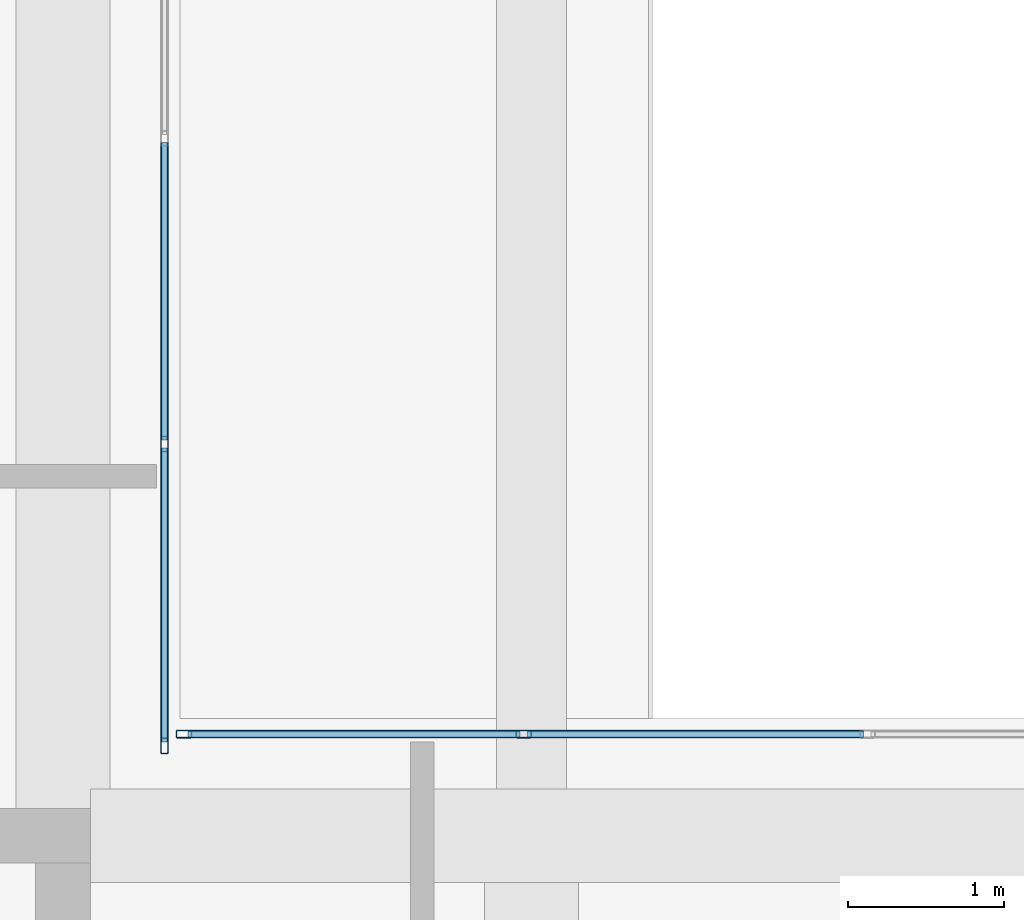
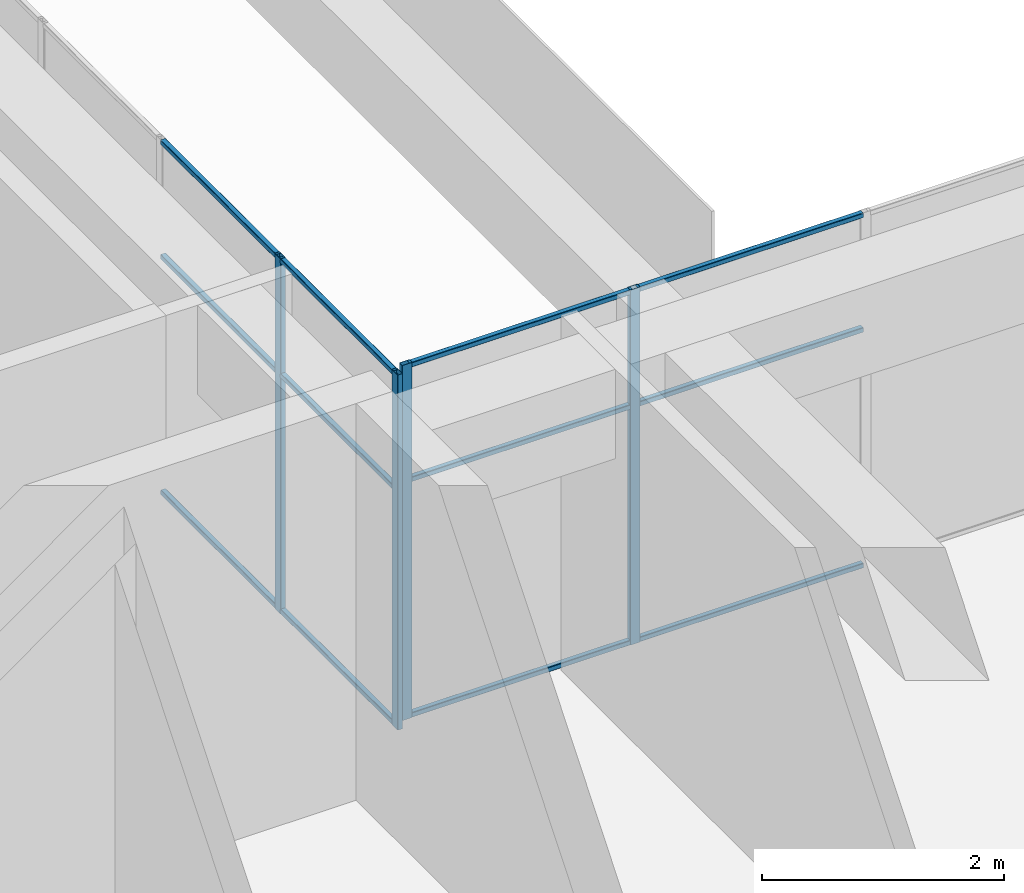
# One storey, part 15 of 36: 16 members, 2 elements without a shape of their own.
"""IFC4 building model written with IfcOpenShell, lengths in metres."""

from ifc_helpers import new_model, si_unit, direction, frame, origin, origin_2d, place, context, subcontext, project, spatial, hollow_rectangle, extrude, material, layer, layer_set, material_profile, profile_set, type_object, element, aggregate, save


model = new_model("IFC4")

# Units and contexts
model_context = context("Model", 3, precision=1e-05, world=origin(), true_north=direction((0.0, 1.0)))
body_context = subcontext(model_context, "Body", "Model", "MODEL_VIEW")
ifc_project = project(units=[si_unit("LENGTHUNIT", "METRE"), si_unit("AREAUNIT", "SQUARE_METRE"), si_unit("VOLUMEUNIT", "CUBIC_METRE"), si_unit("PLANEANGLEUNIT", "RADIAN"), si_unit("MASSUNIT", "GRAM", prefix="KILO")], contexts=[model_context])

# Site, building, storey
site_placement = place(None, origin())
site = spatial("IfcSite", under=ifc_project, at=site_placement, CompositionType="ELEMENT")
building_placement = place(site_placement, origin())
building = spatial("IfcBuilding", under=site, at=building_placement, Name="Tuart Plaza Theatre", CompositionType="ELEMENT")
storey_placement = place(building_placement, frame((0.0, 0.0, 61.5)))
storey = spatial("IfcBuildingStorey", under=building, at=storey_placement, Name="L15", CompositionType="ELEMENT", Elevation=61.5)

# Curtain wall, members
ifc_material_1 = material(Name="Aluminium and glass", Category="aluminium")
ifc_layer = layer(ifc_material_1, 0.10009765625)
ifc_layer_set = layer_set([ifc_layer], Name="CURTAIN WALL 2000 module")
curtain_wall_type = type_object("IfcCurtainWallType", Name="CURTAIN WALL 2000 module", PredefinedType="NOTDEFINED", material=ifc_layer_set)
curtain_wall_1_placement = place(storey_placement, origin())
curtain_wall_1 = element("IfcCurtainWall", 1, at=curtain_wall_1_placement, inside=storey, type_object=curtain_wall_type, Name="CW115", PredefinedType="NOTDEFINED")
ifc_material_2 = material(Name="Aluminium 6063-T5", Category="aluminium")
ifc_material_profile_1 = material_profile(ifc_material_2, hollow_rectangle(XDim=0.050048828125, YDim=0.10009765625, WallThickness=0.00390625, InnerFilletRadius=0.00390625, OuterFilletRadius=0.008056640625, at=origin_2d()), Name="RHS 100x50x4")
ifc_profile_set_1 = profile_set([ifc_material_profile_1], Name="Aluminium 6063-T5")
member_type_1 = type_object("IfcMemberType", Name="MULLION RHS 100x50x4", PredefinedType="MULLION", material=ifc_profile_set_1)
member_1_placement = place(storey_placement, frame((143.949951171875, 83.64990234375, 0.0), z_axis=(0.0, 0.0, 1.0), x_axis=(0.0, -1.0, 0.0)))
member_1 = element("IfcMember", 2, at=member_1_placement, type_object=member_type_1, Name="CW115 mullion 4", PredefinedType="MULLION", context=body_context, shape_type="SweptSolid", body=[
    extrude(hollow_rectangle(XDim=0.050048828125, YDim=0.10009765625, WallThickness=0.00390625, InnerFilletRadius=0.00390625, OuterFilletRadius=0.008056640625, at=origin_2d()), origin(), (0.0, 0.0, 1.0), 3.580078125),
])
member_2_placement = place(storey_placement, frame((141.77490234375, 83.64990234375, 0.0), z_axis=(0.0, 0.0, 1.0), x_axis=(0.0, -1.0, 0.0)))
member_2 = element("IfcMember", 3, at=member_2_placement, type_object=member_type_1, Name="CW115 mullion 5", PredefinedType="MULLION", context=body_context, shape_type="SweptSolid", body=[
    extrude(hollow_rectangle(XDim=0.050048828125, YDim=0.10009765625, WallThickness=0.00390625, InnerFilletRadius=0.00390625, OuterFilletRadius=0.008056640625, at=origin_2d()), origin(), (0.0, 0.0, 1.0), 3.580078125),
])

curtain_wall_2_placement = place(storey_placement, origin())
curtain_wall_2 = element("IfcCurtainWall", 4, at=curtain_wall_2_placement, inside=storey, type_object=curtain_wall_type, Name="CW116", PredefinedType="NOTDEFINED")
member_3_placement = place(storey_placement, frame((141.64990234375, 83.574951171875, 0.0), z_axis=(0.0, 0.0, 1.0), x_axis=(-1.0, 0.0, 0.0)))
member_3 = element("IfcMember", 5, at=member_3_placement, type_object=member_type_1, Name="CW116 mullion 1", PredefinedType="MULLION", context=body_context, shape_type="SweptSolid", body=[
    extrude(hollow_rectangle(XDim=0.050048828125, YDim=0.10009765625, WallThickness=0.00390625, InnerFilletRadius=0.00390625, OuterFilletRadius=0.008056640625, at=origin_2d()), origin(), (0.0, 0.0, 1.0), 3.580078125),
])
member_4_placement = place(storey_placement, frame((141.64990234375, 85.507080078125, 0.0), z_axis=(0.0, 0.0, 1.0), x_axis=(-1.0, 0.0, 0.0)))
member_4 = element("IfcMember", 6, at=member_4_placement, type_object=member_type_1, Name="CW116 mullion 2", PredefinedType="MULLION", context=body_context, shape_type="SweptSolid", body=[
    extrude(hollow_rectangle(XDim=0.050048828125, YDim=0.10009765625, WallThickness=0.00390625, InnerFilletRadius=0.00390625, OuterFilletRadius=0.008056640625, at=origin_2d()), origin(), (0.0, 0.0, 1.0), 3.580078125),
])

# Member
ifc_material_3 = material(Name="Aluminium 6063-T5", Category="aluminium")
ifc_material_profile_2 = material_profile(ifc_material_3, hollow_rectangle(XDim=0.050048828125, YDim=0.050048828125, WallThickness=0.00390625, InnerFilletRadius=0.00390625, OuterFilletRadius=0.008056640625, at=origin_2d()), Name="RHS 50x50x4")
ifc_profile_set_2 = profile_set([ifc_material_profile_2], Name="Aluminium 6063-T5")
member_type_2 = type_object("IfcMemberType", Name="TRANSOM RHS 50x50x4", PredefinedType="USERDEFINED", material=ifc_profile_set_2)
member_5_placement = place(storey_placement, frame((146.125, 83.64990234375, 0.02490234375), z_axis=(-1.0, 0.0, 0.0), x_axis=(0.0, -1.0, 0.0)))
member_5 = element("IfcMember", 7, at=member_5_placement, type_object=member_type_2, Name="CW115 transom 3.1", ObjectType="TRANSOM", PredefinedType="USERDEFINED", context=body_context, shape_type="SweptSolid", body=[
    extrude(hollow_rectangle(XDim=0.050048828125, YDim=0.050048828125, WallThickness=0.00390625, InnerFilletRadius=0.00390625, OuterFilletRadius=0.008056640625, at=origin_2d()), origin(), (0.0, 0.0, 1.0), 2.14990234375),
])

member_6_placement = place(storey_placement, frame((146.125, 83.64990234375, 2.39990234375), z_axis=(-1.0, 0.0, 0.0), x_axis=(0.0, -1.0, 0.0)))
member_6 = element("IfcMember", 8, at=member_6_placement, type_object=member_type_2, Name="CW115 transom 3.2", ObjectType="TRANSOM", PredefinedType="USERDEFINED", context=body_context, shape_type="SweptSolid", body=[
    extrude(hollow_rectangle(XDim=0.050048828125, YDim=0.050048828125, WallThickness=0.00390625, InnerFilletRadius=0.00390625, OuterFilletRadius=0.008056640625, at=origin_2d()), origin(), (0.0, 0.0, 1.0), 2.14990234375),
])

member_7_placement = place(storey_placement, frame((146.125, 83.64990234375, 3.554931640625), z_axis=(-1.0, 0.0, 0.0), x_axis=(0.0, -1.0, 0.0)))
member_7 = element("IfcMember", 9, at=member_7_placement, type_object=member_type_2, Name="CW115 transom 3.3", ObjectType="TRANSOM", PredefinedType="USERDEFINED", context=body_context, shape_type="SweptSolid", body=[
    extrude(hollow_rectangle(XDim=0.050048828125, YDim=0.050048828125, WallThickness=0.00390625, InnerFilletRadius=0.00390625, OuterFilletRadius=0.008056640625, at=origin_2d()), origin(), (0.0, 0.0, 1.0), 2.14990234375),
])

member_8_placement = place(storey_placement, frame((143.925048828125, 83.64990234375, 0.02490234375), z_axis=(-1.0, 0.0, 0.0), x_axis=(0.0, -1.0, 0.0)))
member_8 = element("IfcMember", 10, at=member_8_placement, type_object=member_type_2, Name="CW115 transom 4.1", ObjectType="TRANSOM", PredefinedType="USERDEFINED", context=body_context, shape_type="SweptSolid", body=[
    extrude(hollow_rectangle(XDim=0.050048828125, YDim=0.050048828125, WallThickness=0.00390625, InnerFilletRadius=0.00390625, OuterFilletRadius=0.008056640625, at=origin_2d()), origin(), (0.0, 0.0, 1.0), 2.125),
])

member_9_placement = place(storey_placement, frame((143.925048828125, 83.64990234375, 2.39990234375), z_axis=(-1.0, 0.0, 0.0), x_axis=(0.0, -1.0, 0.0)))
member_9 = element("IfcMember", 11, at=member_9_placement, type_object=member_type_2, Name="CW115 transom 4.2", ObjectType="TRANSOM", PredefinedType="USERDEFINED", context=body_context, shape_type="SweptSolid", body=[
    extrude(hollow_rectangle(XDim=0.050048828125, YDim=0.050048828125, WallThickness=0.00390625, InnerFilletRadius=0.00390625, OuterFilletRadius=0.008056640625, at=origin_2d()), origin(), (0.0, 0.0, 1.0), 2.125),
])

member_10_placement = place(storey_placement, frame((143.925048828125, 83.64990234375, 3.554931640625), z_axis=(-1.0, 0.0, 0.0), x_axis=(0.0, -1.0, 0.0)))
member_10 = element("IfcMember", 12, at=member_10_placement, type_object=member_type_2, Name="CW115 transom 4.3", ObjectType="TRANSOM", PredefinedType="USERDEFINED", context=body_context, shape_type="SweptSolid", body=[
    extrude(hollow_rectangle(XDim=0.050048828125, YDim=0.050048828125, WallThickness=0.00390625, InnerFilletRadius=0.00390625, OuterFilletRadius=0.008056640625, at=origin_2d()), origin(), (0.0, 0.0, 1.0), 2.125),
])

aggregate(curtain_wall_1, [member_1, member_2, member_5, member_6, member_7, member_8, member_9, member_10])

member_11_placement = place(storey_placement, frame((141.64990234375, 83.60009765625, 0.02490234375), z_axis=(0.0, 1.0, 0.0), x_axis=(-1.0, 0.0, 0.0)))
member_11 = element("IfcMember", 13, at=member_11_placement, type_object=member_type_2, Name="CW116 transom 1.1", ObjectType="TRANSOM", PredefinedType="USERDEFINED", context=body_context, shape_type="SweptSolid", body=[
    extrude(hollow_rectangle(XDim=0.050048828125, YDim=0.050048828125, WallThickness=0.00390625, InnerFilletRadius=0.00390625, OuterFilletRadius=0.008056640625, at=origin_2d()), origin(), (0.0, 0.0, 1.0), 1.882080078125),
])

member_12_placement = place(storey_placement, frame((141.64990234375, 83.60009765625, 2.39990234375), z_axis=(0.0, 1.0, 0.0), x_axis=(-1.0, 0.0, 0.0)))
member_12 = element("IfcMember", 14, at=member_12_placement, type_object=member_type_2, Name="CW116 transom 1.2", ObjectType="TRANSOM", PredefinedType="USERDEFINED", context=body_context, shape_type="SweptSolid", body=[
    extrude(hollow_rectangle(XDim=0.050048828125, YDim=0.050048828125, WallThickness=0.00390625, InnerFilletRadius=0.00390625, OuterFilletRadius=0.008056640625, at=origin_2d()), origin(), (0.0, 0.0, 1.0), 1.882080078125),
])

member_13_placement = place(storey_placement, frame((141.64990234375, 83.60009765625, 3.554931640625), z_axis=(0.0, 1.0, 0.0), x_axis=(-1.0, 0.0, 0.0)))
member_13 = element("IfcMember", 15, at=member_13_placement, type_object=member_type_2, Name="CW116 transom 1.3", ObjectType="TRANSOM", PredefinedType="USERDEFINED", context=body_context, shape_type="SweptSolid", body=[
    extrude(hollow_rectangle(XDim=0.050048828125, YDim=0.050048828125, WallThickness=0.00390625, InnerFilletRadius=0.00390625, OuterFilletRadius=0.008056640625, at=origin_2d()), origin(), (0.0, 0.0, 1.0), 1.882080078125),
])

member_14_placement = place(storey_placement, frame((141.64990234375, 85.5322265625, 0.02490234375), z_axis=(0.0, 1.0, 0.0), x_axis=(-1.0, 0.0, 0.0)))
member_14 = element("IfcMember", 16, at=member_14_placement, type_object=member_type_2, Name="CW116 transom 2.1", ObjectType="TRANSOM", PredefinedType="USERDEFINED", context=body_context, shape_type="SweptSolid", body=[
    extrude(hollow_rectangle(XDim=0.050048828125, YDim=0.050048828125, WallThickness=0.00390625, InnerFilletRadius=0.00390625, OuterFilletRadius=0.008056640625, at=origin_2d()), origin(), (0.0, 0.0, 1.0), 1.906982421875),
])

member_15_placement = place(storey_placement, frame((141.64990234375, 85.5322265625, 2.39990234375), z_axis=(0.0, 1.0, 0.0), x_axis=(-1.0, 0.0, 0.0)))
member_15 = element("IfcMember", 17, at=member_15_placement, type_object=member_type_2, Name="CW116 transom 2.2", ObjectType="TRANSOM", PredefinedType="USERDEFINED", context=body_context, shape_type="SweptSolid", body=[
    extrude(hollow_rectangle(XDim=0.050048828125, YDim=0.050048828125, WallThickness=0.00390625, InnerFilletRadius=0.00390625, OuterFilletRadius=0.008056640625, at=origin_2d()), origin(), (0.0, 0.0, 1.0), 1.906982421875),
])

member_16_placement = place(storey_placement, frame((141.64990234375, 85.5322265625, 3.554931640625), z_axis=(0.0, 1.0, 0.0), x_axis=(-1.0, 0.0, 0.0)))
member_16 = element("IfcMember", 18, at=member_16_placement, type_object=member_type_2, Name="CW116 transom 2.3", ObjectType="TRANSOM", PredefinedType="USERDEFINED", context=body_context, shape_type="SweptSolid", body=[
    extrude(hollow_rectangle(XDim=0.050048828125, YDim=0.050048828125, WallThickness=0.00390625, InnerFilletRadius=0.00390625, OuterFilletRadius=0.008056640625, at=origin_2d()), origin(), (0.0, 0.0, 1.0), 1.906982421875),
])

aggregate(curtain_wall_2, [member_3, member_4, member_11, member_12, member_13, member_14, member_15, member_16])

save(model, "model.ifc")
